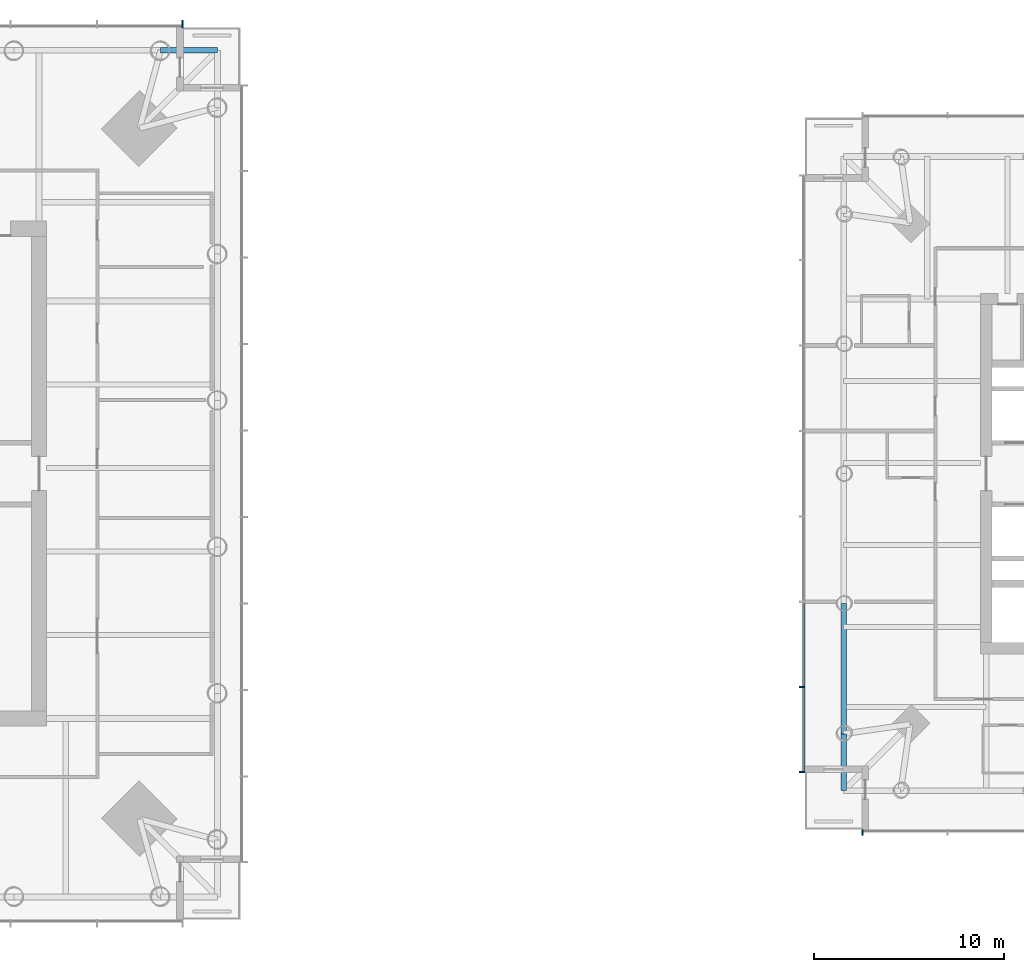
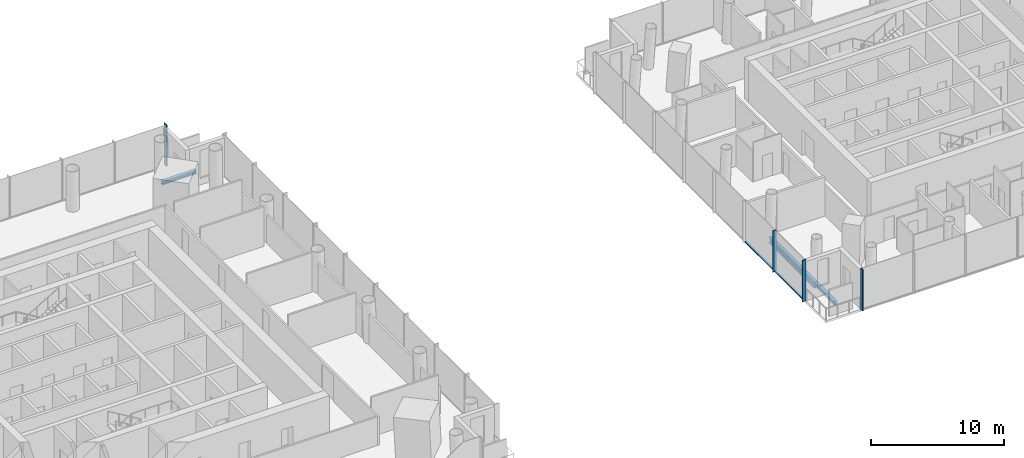
# One storey, part 4 of 18: 6 members, 3 beams, 3 elements without a shape of their own.
"""IFC4 building model written with IfcOpenShell, lengths in metres."""

from ifc_helpers import new_model, si_unit, direction, frame, origin, origin_2d, place, context, subcontext, project, spatial, rectangle, i_section, extrude, material, material_profile, profile_set, type_object, element, aggregate, save


model = new_model("IFC4")

# Units and contexts
model_context = context("Model", 3, precision=1e-05, world=origin(), true_north=direction((0.0, 1.0)))
body_context = subcontext(model_context, "Body", "Model", "MODEL_VIEW")
ifc_project = project(units=[si_unit("LENGTHUNIT", "METRE"), si_unit("AREAUNIT", "SQUARE_METRE"), si_unit("VOLUMEUNIT", "CUBIC_METRE"), si_unit("PLANEANGLEUNIT", "RADIAN"), si_unit("MASSUNIT", "GRAM", prefix="KILO")], contexts=[model_context])

# Site, building, storey
site_placement = place(None, origin())
site = spatial("IfcSite", under=ifc_project, at=site_placement, CompositionType="ELEMENT")
building_placement = place(site_placement, origin())
building = spatial("IfcBuilding", under=site, at=building_placement, Name="Ostroluk Exchange", CompositionType="ELEMENT")
storey_placement = place(building_placement, frame((0.0, 0.0, 74.199951171875)))
storey = spatial("IfcBuildingStorey", under=building, at=storey_placement, Name="L18", CompositionType="ELEMENT", Elevation=74.199951171875)

# Beams
ifc_material_1 = material(Name="Steel S355", Category="steel")
ifc_material_profile_1 = material_profile(ifc_material_1, i_section(OverallWidth=0.300048828125, OverallDepth=0.300048828125, WebThickness=0.010986328125, FlangeThickness=0.01904296875, FilletRadius=0.027099609375, at=origin_2d()), Name="HEB 300")
ifc_profile_set_1 = profile_set([ifc_material_profile_1], Name="Steel S355")
beam_type_1 = type_object("IfcBeamType", Name="Balcony beam HEB 300", PredefinedType="BEAM", material=ifc_profile_set_1)
for number, where, z_axis, x_axis, name in (
    (1, (64.300048828125, 68.300048828125, -0.329833984375), (1.0, 0.0, 0.0), (0.0, 1.0, 0.0), "T1 east balcony beam b"),
    (2, (100.293212890625, 32.293212890625, -0.349853515625), (0.0, -1.0, 0.0), (1.0, 0.0, 0.0), "T2 west balcony beam a"),
):
    element("IfcBeam", number, at=place(storey_placement, frame(where, z_axis=z_axis, x_axis=x_axis)), inside=storey, type_object=beam_type_1, Name=name, PredefinedType="BEAM", context=body_context, shape_type="SweptSolid", body=[
        extrude(i_section(OverallWidth=0.300048828125, OverallDepth=0.300048828125, WebThickness=0.010986328125, FlangeThickness=0.01904296875, FilletRadius=0.027099609375, at=origin_2d()), origin(), (0.0, 0.0, 1.0), 3.0),
    ])
ifc_material_2 = material(Name="Steel S355", Category="steel")
ifc_material_profile_2 = material_profile(ifc_material_2, i_section(OverallWidth=0.300048828125, OverallDepth=0.550048828125, WebThickness=0.014892578125, FlangeThickness=0.029052734375, FilletRadius=0.027099609375, at=origin_2d()), Name="HEB 550")
ifc_profile_set_2 = profile_set([ifc_material_profile_2], Name="Steel S355")
beam_type_2 = type_object("IfcBeamType", Name="Moment-connected edge beam HEB 550", PredefinedType="SPANDREL", material=ifc_profile_set_2)
beam_placement = place(storey_placement, frame((100.293212890625, 39.146484375, -0.474853515625), z_axis=(0.0, -1.0, 0.0), x_axis=(1.0, 0.0, 0.0)))
element("IfcBeam", 3, at=beam_placement, inside=storey, type_object=beam_type_2, Name="T2 west edge beam 4", PredefinedType="SPANDREL", context=body_context, shape_type="SweptSolid", body=[
    extrude(i_section(OverallWidth=0.300048828125, OverallDepth=0.550048828125, WebThickness=0.014892578125, FlangeThickness=0.029052734375, FilletRadius=0.027099609375, at=origin_2d()), origin(), (0.0, 0.0, 1.0), 6.853271484375),
])

# Curtain wall, members
ifc_material_3 = material(Name="Laminated clear glass", Category="glass")
curtain_wall_type_1 = type_object("IfcCurtainWallType", Name="Hotel guest floor facade", PredefinedType="USERDEFINED", material=ifc_material_3)
curtain_wall_1_placement = place(storey_placement, origin())
curtain_wall_1 = element("IfcCurtainWall", 4, at=curtain_wall_1_placement, inside=storey, type_object=curtain_wall_type_1, Name="Hotel tower west facade L18", ObjectType="UNITISED CURTAIN WALL", PredefinedType="USERDEFINED")
ifc_material_4 = material(Name="Aluminium mullion", Category="aluminium")
ifc_material_profile_3 = material_profile(ifc_material_4, rectangle(XDim=0.14990234375, YDim=0.080078125, at=origin_2d()), Name="Sill transom 80 x 150")
ifc_profile_set_3 = profile_set([ifc_material_profile_3], Name="Aluminium mullion")
member_type_1 = type_object("IfcMemberType", Name="Sill transom 80 x 150", PredefinedType="USERDEFINED", material=ifc_profile_set_3)
member_1_placement = place(storey_placement, frame((98.175048828125, 39.2099609375, 0.0400390625), z_axis=(0.0, -1.0, 0.0), x_axis=(1.0, 0.0, 0.0)))
member_1 = element("IfcMember", 5, at=member_1_placement, type_object=member_type_1, Name="CW-H1 transom 6.1", ObjectType="TRANSOM", PredefinedType="USERDEFINED", context=body_context, shape_type="SweptSolid", body=[
    extrude(rectangle(XDim=0.14990234375, YDim=0.080078125, at=origin_2d()), origin(), (0.0, 0.0, 1.0), 4.419921875),
])
member_2_placement = place(storey_placement, frame((98.175048828125, 34.7099609375, 0.0400390625), z_axis=(0.0, -1.0, 0.0), x_axis=(1.0, 0.0, 0.0)))
member_2 = element("IfcMember", 6, at=member_2_placement, type_object=member_type_1, Name="CW-H1 transom 7.1", ObjectType="TRANSOM", PredefinedType="USERDEFINED", context=body_context, shape_type="SweptSolid", body=[
    extrude(rectangle(XDim=0.14990234375, YDim=0.080078125, at=origin_2d()), origin(), (0.0, 0.0, 1.0), 4.3798828125),
])

# Curtain wall, member
curtain_wall_2_placement = place(storey_placement, origin())
curtain_wall_2 = element("IfcCurtainWall", 7, at=curtain_wall_2_placement, inside=storey, type_object=curtain_wall_type_1, Name="Hotel tower south facade L18", ObjectType="UNITISED CURTAIN WALL", PredefinedType="USERDEFINED")
ifc_material_5 = material(Name="Aluminium mullion with limestone facing", Category="masonry")
ifc_material_profile_4 = material_profile(ifc_material_5, rectangle(XDim=0.300048828125, YDim=0.080078125, at=origin_2d()), Name="Tracery mullion 80 x 300")
ifc_profile_set_4 = profile_set([ifc_material_profile_4], Name="Aluminium mullion with limestone facing")
member_type_2 = type_object("IfcMemberType", Name="Tracery mullion 80 x 300", PredefinedType="MULLION", material=ifc_profile_set_4)
member_3_placement = place(storey_placement, frame((101.2900390625, 27.10009765625, 0.0), z_axis=(0.0, 0.0, 1.0), x_axis=(0.0, 1.0, 0.0)))
member_3 = element("IfcMember", 8, at=member_3_placement, type_object=member_type_2, Name="CW-H1 mullion 1", PredefinedType="MULLION", context=body_context, shape_type="SweptSolid", body=[
    extrude(rectangle(XDim=0.300048828125, YDim=0.080078125, at=origin_2d()), origin(), (0.0, 0.0, 1.0), 3.800048828125),
])
aggregate(curtain_wall_2, [member_3])

# Member
member_4_placement = place(storey_placement, frame((98.10009765625, 34.75, 0.0), z_axis=(0.0, 0.0, 1.0), x_axis=(1.0, 0.0, 0.0)))
member_4 = element("IfcMember", 9, at=member_4_placement, type_object=member_type_2, Name="CW-H1 mullion 7", PredefinedType="MULLION", context=body_context, shape_type="SweptSolid", body=[
    extrude(rectangle(XDim=0.300048828125, YDim=0.080078125, at=origin_2d()), origin(), (0.0, 0.0, 1.0), 3.800048828125),
])

member_5_placement = place(storey_placement, frame((98.10009765625, 30.2900390625, 0.0), z_axis=(0.0, 0.0, 1.0), x_axis=(1.0, 0.0, 0.0)))
member_5 = element("IfcMember", 10, at=member_5_placement, type_object=member_type_2, Name="CW-H1 mullion 8", PredefinedType="MULLION", context=body_context, shape_type="SweptSolid", body=[
    extrude(rectangle(XDim=0.300048828125, YDim=0.080078125, at=origin_2d()), origin(), (0.0, 0.0, 1.0), 3.800048828125),
])

aggregate(curtain_wall_1, [member_4, member_5, member_1, member_2])

# Curtain wall, member
ifc_material_6 = material(Name="Laminated clear glass", Category="glass")
curtain_wall_type_2 = type_object("IfcCurtainWallType", Name="Office tower facade", PredefinedType="USERDEFINED", material=ifc_material_6)
curtain_wall_3_placement = place(storey_placement, origin())
curtain_wall_3 = element("IfcCurtainWall", 11, at=curtain_wall_3_placement, inside=storey, type_object=curtain_wall_type_2, Name="Office tower north facade L18", ObjectType="UNITISED CURTAIN WALL", PredefinedType="USERDEFINED")
ifc_material_7 = material(Name="Aluminium mullion with limestone facing", Category="masonry")
ifc_material_profile_5 = material_profile(ifc_material_7, rectangle(XDim=0.39990234375, YDim=0.080078125, at=origin_2d()), Name="Tracery mullion 80 x 400")
ifc_profile_set_5 = profile_set([ifc_material_profile_5], Name="Aluminium mullion with limestone facing")
member_type_3 = type_object("IfcMemberType", Name="Tracery mullion 80 x 400", PredefinedType="MULLION", material=ifc_profile_set_5)
member_6_placement = place(storey_placement, frame((65.4599609375, 69.699951171875, 0.0), z_axis=(0.0, 0.0, 1.0), x_axis=(0.0, -1.0, 0.0)))
member_6 = element("IfcMember", 12, at=member_6_placement, type_object=member_type_3, Name="CW-O1 mullion 1", PredefinedType="MULLION", context=body_context, shape_type="SweptSolid", body=[
    extrude(rectangle(XDim=0.39990234375, YDim=0.080078125, at=origin_2d()), origin(), (0.0, 0.0, 1.0), 3.800048828125),
])
aggregate(curtain_wall_3, [member_6])

save(model, "model.ifc")
